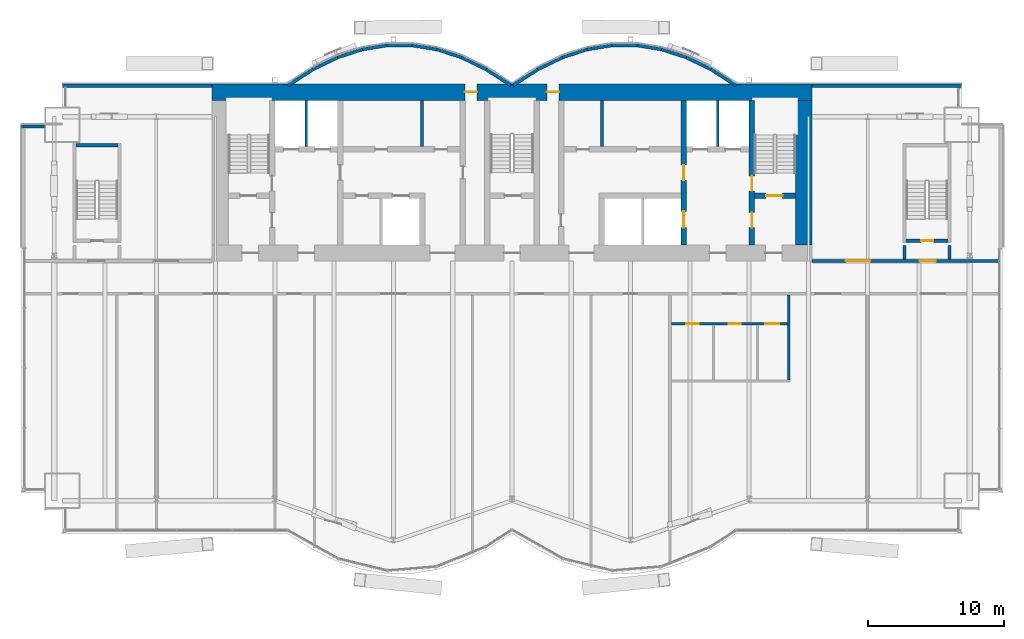
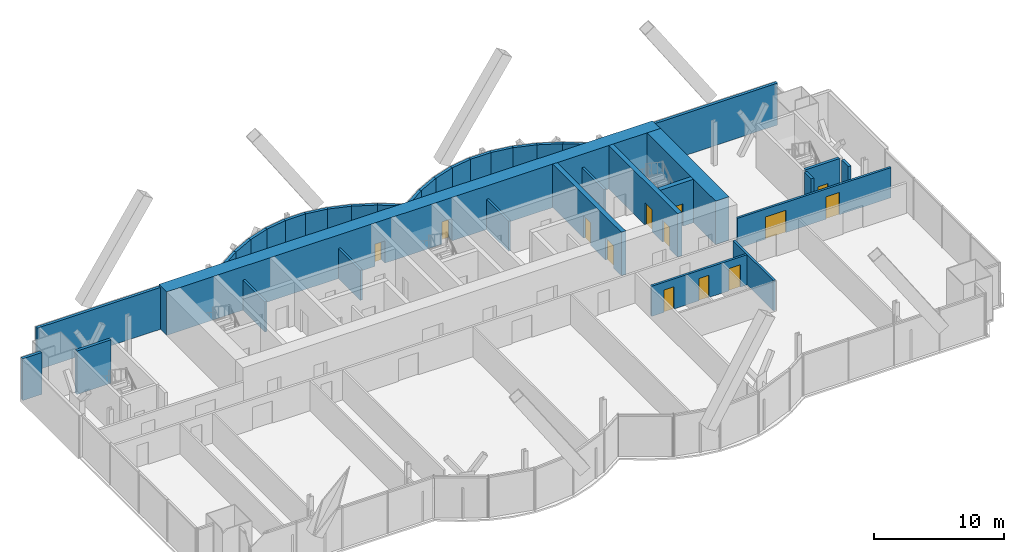
# One storey, part 17 of 21: 37 walls, 13 doors, 13 openings.
"""IFC4 building model written with IfcOpenShell, lengths in metres."""

import ifcopenshell
import ifcopenshell.guid

model = None  # the IFC model being written
_history = None  # IfcOwnerHistory: only IFC2X3 demands one
_inside = {}  # id of a spatial element -> (the spatial element, [elements in it])
_under = {}  # id of a project, library or spatial element -> (it, [spatial elements below it])
_declared = {}  # id of a project -> (the project, [libraries it declares])
_typed = {}  # id of a type object -> (the type object, [elements of that type])
_made_of = {}  # id of a material, layer set ... -> (it, [elements and type objects made of it])


def new_model(schema):
    """Start an empty IFC model of exactly this schema.

    Asked for "IFC4X3", IfcOpenShell would pick the latest addendum, in which some entities
    have other attributes; the version numbers below select the first issue.
    IFC2X3 requires an IfcOwnerHistory on every rooted entity: one is made here for all.
    """
    global model, _history
    if schema == "IFC4X3":
        model = ifcopenshell.file(schema_version=(4, 3, 0, 0))
    else:
        model = ifcopenshell.file(schema=schema)
    _inside.clear()
    _under.clear()
    _declared.clear()
    _typed.clear()
    _made_of.clear()
    _history = None
    if model.schema == "IFC2X3":
        org = make("IfcOrganization", Name="unknown")
        user = make(
            "IfcPersonAndOrganization",
            ThePerson=make("IfcPerson", FamilyName="unknown"),
            TheOrganization=org,
        )
        app = make(
            "IfcApplication",
            ApplicationDeveloper=org,
            Version="unknown",
            ApplicationFullName="unknown",
            ApplicationIdentifier="unknown",
        )
        _history = make(
            "IfcOwnerHistory",
            OwningUser=user,
            OwningApplication=app,
            ChangeAction="ADDED",
            CreationDate=0,
        )
    return model


def make(cls, **values):
    """One entity of the class cls with the attributes given. An attribute that is None is left unset."""
    return model.create_entity(
        cls, **{name: value for name, value in values.items() if value is not None}
    )


def rooted(cls, **values):
    """An entity with a GlobalId (a new one), such as an element, a storey or a relation."""
    return make(cls, GlobalId=ifcopenshell.guid.new(), OwnerHistory=_history, **values)


def si_unit(unit_type, name, prefix=None):
    """IfcSIUnit, for example si_unit("LENGTHUNIT", "METRE", prefix="MILLI")."""
    return make("IfcSIUnit", UnitType=unit_type, Prefix=prefix, Name=name)


def assignment(units):
    """IfcUnitAssignment: the units of a project."""
    return None if units is None else make("IfcUnitAssignment", Units=units)


def point(xyz):
    """IfcCartesianPoint."""
    return None if xyz is None else make("IfcCartesianPoint", Coordinates=xyz)


def direction(xyz):
    """IfcDirection."""
    return None if xyz is None else make("IfcDirection", DirectionRatios=xyz)


def frame(location, z_axis=None, x_axis=None):
    """IfcAxis2Placement3D, a coordinate frame: its origin and axes. An axis left out is left unset."""
    return make(
        "IfcAxis2Placement3D",
        Location=point(location),
        Axis=direction(z_axis),
        RefDirection=direction(x_axis),
    )


def frame_2d(location, x_axis=None):
    """IfcAxis2Placement2D, a coordinate frame in the plane: its origin and x axis."""
    return make(
        "IfcAxis2Placement2D", Location=point(location), RefDirection=direction(x_axis)
    )


def origin():
    """The frame at (0, 0, 0) with its axes left unset."""
    return frame((0.0, 0.0, 0.0))


def place(relative_to, where):
    """IfcLocalPlacement: puts the frame where relative to a parent placement (None: the world)."""
    return make(
        "IfcLocalPlacement", PlacementRelTo=relative_to, RelativePlacement=where
    )


def context(
    kind, dimensions, precision=None, world=None, true_north=None, identifier=None
):
    """IfcGeometricRepresentationContext, for example the 3D "Model" context."""
    return make(
        "IfcGeometricRepresentationContext",
        ContextIdentifier=identifier,
        ContextType=kind,
        CoordinateSpaceDimension=dimensions,
        Precision=precision,
        WorldCoordinateSystem=world,
        TrueNorth=true_north,
    )


def subcontext(parent, identifier, kind, view, scale=None):
    """IfcGeometricRepresentationSubContext, for example "Body" below "Model"."""
    return make(
        "IfcGeometricRepresentationSubContext",
        ContextIdentifier=identifier,
        ContextType=kind,
        ParentContext=parent,
        TargetScale=scale,
        TargetView=view,
    )


def project(units=None, contexts=None):
    """IfcProject with its units and contexts."""
    return rooted(
        "IfcProject",
        Name="project",
        RepresentationContexts=contexts,
        UnitsInContext=assignment(units),
    )


def spatial(cls, under=None, at=None, **own):
    """A site, building, storey or space (cls), placed at a placement, below another one or the project."""
    s = rooted(cls, ObjectPlacement=at, **own)
    if under is not None:
        _under.setdefault(under.id(), (under, []))[1].append(s)
    return s


def profile(cls, at=None, kind="AREA", **sizes):
    """A parametric profile (cls). Its sizes go by their IFC names, for example OverallWidth=200.0."""
    return make(cls, ProfileType=kind, Position=at, **sizes)


def rectangle(**sizes):
    """IfcRectangleProfileDef."""
    return profile("IfcRectangleProfileDef", **sizes)


def extrude(swept, where, along, depth):
    """IfcExtrudedAreaSolid: the profile swept, set in the frame where, extruded along a direction by depth."""
    return make(
        "IfcExtrudedAreaSolid",
        SweptArea=swept,
        Position=where,
        ExtrudedDirection=direction(along),
        Depth=depth,
    )


def shape(context_of_items, identifier, shape_type, items):
    """IfcShapeRepresentation: the items that make up one representation, for example the "Body"."""
    return make(
        "IfcShapeRepresentation",
        ContextOfItems=context_of_items,
        RepresentationIdentifier=identifier,
        RepresentationType=shape_type,
        Items=items,
    )


def material(Name=None, Category=None):
    """IfcMaterial."""
    return make("IfcMaterial", Name=Name, Category=Category)


def layer(
    of_material, thickness, ventilated=None, Name=None, Category=None, Priority=None
):
    """IfcMaterialLayer: one layer of a wall or slab, of a material (None: an air gap)."""
    return make(
        "IfcMaterialLayer",
        Material=of_material,
        LayerThickness=thickness,
        IsVentilated=ventilated,
        Name=Name,
        Category=Category,
        Priority=Priority,
    )


def layer_set(layers, Name=None):
    """IfcMaterialLayerSet."""
    return make("IfcMaterialLayerSet", MaterialLayers=layers, LayerSetName=Name)


def layer_usage(for_layer_set, set_direction, sense, offset, extent=None):
    """IfcMaterialLayerSetUsage: how a layer set lies in its element."""
    return make(
        "IfcMaterialLayerSetUsage",
        ForLayerSet=for_layer_set,
        LayerSetDirection=set_direction,
        DirectionSense=sense,
        OffsetFromReferenceLine=offset,
        ReferenceExtent=extent,
    )


def made_of(thing, what):
    """Note that an element or type object is made of a material, layer set ...; save() writes the relation."""
    if what is not None:
        _made_of.setdefault(what.id(), (what, []))[1].append(thing)
    return thing


def type_object(cls, material=None, **own):
    """A type object (cls), such as IfcWallType, which elements share."""
    return made_of(rooted(cls, **own), material)


def element(
    cls,
    number,
    at=None,
    inside=None,
    cuts=None,
    type_object=None,
    material=None,
    context=None,
    identifier="Body",
    shape_type=None,
    held_by="IfcProductDefinitionShape",
    body=None,
    shapes=None,
    **own,
):
    """One element of the class cls, such as IfcWall. Its Tag is "e" and its number.

    at: its placement. inside: the storey or other place that contains it. cuts: it is an
    opening in that element (IfcRelVoidsElement). A single representation is given by context,
    identifier, shape_type and body (its items); several are given by shapes. held_by: the class
    of the entity that holds the representations. save() writes the other relations.
    """
    e = rooted(cls, Tag="e%d" % number, ObjectPlacement=at, **own)
    if body is not None:
        shapes = [shape(context, identifier, shape_type, body)]
    if shapes is not None:
        e.Representation = make(held_by, Representations=shapes)
    if inside is not None:
        _inside.setdefault(inside.id(), (inside, []))[1].append(e)
    if cuts is not None:
        rooted(
            "IfcRelVoidsElement", RelatingBuildingElement=cuts, RelatedOpeningElement=e
        )
    if type_object is not None:
        _typed.setdefault(type_object.id(), (type_object, []))[1].append(e)
    return made_of(e, material)


def fill(opening, filler):
    """IfcRelFillsElement: the door or window that sits in an opening."""
    return rooted(
        "IfcRelFillsElement",
        RelatingOpeningElement=opening,
        RelatedBuildingElement=filler,
    )


def aggregate(whole, parts):
    """IfcRelAggregates: a whole, such as a stair, and the parts it consists of."""
    return rooted("IfcRelAggregates", RelatingObject=whole, RelatedObjects=parts)


def save(model, path):
    """Write the relations noted so far, then the file.

    IfcRelAggregates (storeys below a building ...), IfcRelContainedInSpatialStructure (elements
    in a storey), IfcRelDefinesByType, IfcRelAssociatesMaterial and IfcRelDeclares: one each for
    every whole, place, type object, material and project.
    """
    for whole, parts in _under.values():
        aggregate(whole, parts)
    for where, things in _inside.values():
        rooted(
            "IfcRelContainedInSpatialStructure",
            RelatedElements=things,
            RelatingStructure=where,
        )
    for kind, things in _typed.values():
        rooted("IfcRelDefinesByType", RelatedObjects=things, RelatingType=kind)
    for what, things in _made_of.values():
        rooted("IfcRelAssociatesMaterial", RelatedObjects=things, RelatingMaterial=what)
    for by, libraries in _declared.values():
        rooted("IfcRelDeclares", RelatingContext=by, RelatedDefinitions=libraries)
    model.write(path)


model = new_model("IFC4")

# Units and contexts
model_context = context("Model", 3, precision=1e-05, world=origin(), true_north=direction((0.0, 1.0)))
body_context = subcontext(model_context, "Body", "Model", "MODEL_VIEW")
ifc_project = project(units=[si_unit("LENGTHUNIT", "METRE"), si_unit("AREAUNIT", "SQUARE_METRE"), si_unit("VOLUMEUNIT", "CUBIC_METRE"), si_unit("PLANEANGLEUNIT", "RADIAN"), si_unit("MASSUNIT", "GRAM", prefix="KILO")], contexts=[model_context])

# Site, building, storey
site_placement = place(None, origin())
site = spatial("IfcSite", under=ifc_project, at=site_placement, CompositionType="ELEMENT")
building_placement = place(site_placement, origin())
building = spatial("IfcBuilding", under=site, at=building_placement, Name="Bicima Exchange Tower", CompositionType="ELEMENT")
storey_placement = place(building_placement, frame((0.0, 0.0, 195.0)))
storey = spatial("IfcBuildingStorey", under=building, at=storey_placement, Name="L43", CompositionType="ELEMENT", Elevation=195.0)

# Walls
ifc_material_1 = material(Name="Gypsum board partition")
ifc_layer_1 = layer(ifc_material_1, 0.199951171875)
ifc_layer_set_1 = layer_set([ifc_layer_1], Name="Gypsum board partition")
wall_type_1 = type_object("IfcWallType", Name="Fire-rated gypsum partition 200 EI120", PredefinedType="PARTITIONING", material=ifc_layer_set_1)
for number, where, z_axis, x_axis, name in (
    (1, (-15.10009765625, -4.60009765625, 0.0), (0.0, 0.0, 1.0), (0.0, 1.0, 0.0), "partition wall 9"),
    (2, (15.10009765625, -4.60009765625, 0.0), (0.0, 0.0, 1.0), (0.0, 1.0, 0.0), "partition wall 22"),
):
    element("IfcWall", number, at=place(storey_placement, frame(where, z_axis=z_axis, x_axis=x_axis)), inside=storey, type_object=wall_type_1, Name=name, PredefinedType="PARTITIONING", context=body_context, shape_type="SweptSolid", body=[
        extrude(rectangle(XDim=3.400146484375, YDim=0.199951171875, at=frame_2d((1.7001953125, 0.0))), origin(), (0.0, 0.0, 1.0), 2.84033203125),
    ])

# Wall, openings, doors
ifc_layer_2 = layer(ifc_material_1, 0.199951171875)
ifc_layer_set_2 = layer_set([ifc_layer_2], Name="Gypsum board partition")
wall_type_2 = type_object("IfcWallType", Name="Fire-rated gypsum partition 200 EI60", PredefinedType="PARTITIONING", material=ifc_layer_set_2)
wall_1_placement = place(storey_placement, frame((11.699951171875, -17.60009765625, 0.0), z_axis=(0.0, 0.0, 1.0), x_axis=(1.0, 0.0, 0.0)))
wall_1 = element("IfcWall", 3, at=wall_1_placement, inside=storey, type_object=wall_type_2, Name="partition wall 2", PredefinedType="PARTITIONING", context=body_context, shape_type="SweptSolid", body=[
    extrude(rectangle(XDim=8.5, YDim=0.199951171875, at=frame_2d((4.25, 0.0))), origin(), (0.0, 0.0, 1.0), 2.84033203125),
])
opening_1_placement = place(wall_1_placement, frame((1.10009765625, 0.0, 0.0)))
opening_1 = element("IfcOpeningElement", 4, at=opening_1_placement, cuts=wall_1, Name="Opening L43-015", PredefinedType="OPENING", context=body_context, shape_type="SweptSolid", body=[
    extrude(rectangle(XDim=0.89990234375, YDim=2.10009765625, at=frame_2d((0.449951171875, 1.050048828125))), frame((0.0, 0.11181640625, 0.0), z_axis=(0.0, -1.0, 0.0), x_axis=(1.0, 0.0, 0.0)), (0.0, 0.0, 1.0), 0.223876953125),
])
opening_2_placement = place(wall_1_placement, frame((4.199951171875, 0.0, 0.0)))
opening_2 = element("IfcOpeningElement", 5, at=opening_2_placement, cuts=wall_1, Name="Opening L43-016", PredefinedType="OPENING", context=body_context, shape_type="SweptSolid", body=[
    extrude(rectangle(XDim=0.89990234375, YDim=2.10009765625, at=frame_2d((0.449951171875, 1.050048828125))), frame((0.0, 0.11181640625, 0.0), z_axis=(0.0, -1.0, 0.0), x_axis=(1.0, 0.0, 0.0)), (0.0, 0.0, 1.0), 0.223876953125),
])
opening_3_placement = place(wall_1_placement, frame((6.89990234375, 0.0, 0.0)))
opening_3 = element("IfcOpeningElement", 6, at=opening_3_placement, cuts=wall_1, Name="Opening L43-017", PredefinedType="OPENING", context=body_context, shape_type="SweptSolid", body=[
    extrude(rectangle(XDim=1.0, YDim=2.10009765625, at=frame_2d((0.5, 1.050048828125))), frame((0.0, 0.11181640625, 0.0), z_axis=(0.0, -1.0, 0.0), x_axis=(1.0, 0.0, 0.0)), (0.0, 0.0, 1.0), 0.223876953125),
])
ifc_material_2 = material(Name="Steel fire door leaf", Category="steel")
door_type_1 = type_object("IfcDoorType", Name="Door 1000 swing FD30S", OperationType="SINGLE_SWING_LEFT", PredefinedType="DOOR", material=ifc_material_2)
door_1_placement = place(opening_3_placement, frame((1.0, 0.0, 0.0), z_axis=(0.0, 0.0, 1.0), x_axis=(-1.0, 0.0, 0.0)))
door_1 = element("IfcDoor", 7, at=door_1_placement, inside=storey, type_object=door_type_1, Name="Door", OperationType="SINGLE_SWING_RIGHT", OverallHeight=2.10009765625, OverallWidth=1.0, PredefinedType="DOOR", context=body_context, shape_type="SweptSolid", body=[
    extrude(rectangle(XDim=1.0, YDim=2.10009765625, at=frame_2d((0.5, 1.050048828125))), frame((0.0, 0.02490234375, 0.0), z_axis=(0.0, -1.0, 0.0), x_axis=(1.0, 0.0, 0.0)), (0.0, 0.0, 1.0), 0.050048828125),
])
fill(opening_3, door_1)
door_type_2 = type_object("IfcDoorType", Name="Door 900 swing FD30S", OperationType="SINGLE_SWING_LEFT", PredefinedType="DOOR", material=ifc_material_2)
door_2_placement = place(opening_1_placement, frame((0.89990234375, 0.0, 0.0), z_axis=(0.0, 0.0, 1.0), x_axis=(-1.0, 0.0, 0.0)))
door_2 = element("IfcDoor", 8, at=door_2_placement, inside=storey, type_object=door_type_2, Name="Door", OperationType="SINGLE_SWING_RIGHT", OverallHeight=2.10009765625, OverallWidth=0.89990234375, PredefinedType="DOOR", context=body_context, shape_type="SweptSolid", body=[
    extrude(rectangle(XDim=0.89990234375, YDim=2.10009765625, at=frame_2d((0.449951171875, 1.050048828125))), frame((0.0, 0.02490234375, 0.0), z_axis=(0.0, -1.0, 0.0), x_axis=(1.0, 0.0, 0.0)), (0.0, 0.0, 1.0), 0.050048828125),
])
fill(opening_1, door_2)
door_3_placement = place(opening_2_placement, frame((0.89990234375, 0.0, 0.0), z_axis=(0.0, 0.0, 1.0), x_axis=(-1.0, 0.0, 0.0)))
door_3 = element("IfcDoor", 9, at=door_3_placement, inside=storey, type_object=door_type_2, Name="Door", OperationType="SINGLE_SWING_LEFT", OverallHeight=2.10009765625, OverallWidth=0.89990234375, PredefinedType="DOOR", context=body_context, shape_type="SweptSolid", body=[
    extrude(rectangle(XDim=0.89990234375, YDim=2.10009765625, at=frame_2d((0.449951171875, 1.050048828125))), frame((0.0, 0.02490234375, 0.0), z_axis=(0.0, -1.0, 0.0), x_axis=(1.0, 0.0, 0.0)), (0.0, 0.0, 1.0), 0.050048828125),
])
fill(opening_2, door_3)

wall_2_placement = place(storey_placement, frame((22.0, -13.0, 0.0), z_axis=(0.0, 0.0, 1.0), x_axis=(1.0, 0.0, 0.0)))
wall_2 = element("IfcWall", 10, at=wall_2_placement, inside=storey, type_object=wall_type_2, Name="partition wall 5", PredefinedType="PARTITIONING", context=body_context, shape_type="SweptSolid", body=[
    extrude(rectangle(XDim=13.679931640625, YDim=0.199951171875, at=frame_2d((6.83984375, 0.0))), origin(), (0.0, 0.0, 1.0), 2.84033203125),
])
opening_4_placement = place(wall_2_placement, frame((7.89990234375, 0.0, 0.0)))
opening_4 = element("IfcOpeningElement", 11, at=opening_4_placement, cuts=wall_2, Name="Opening L43-003", PredefinedType="OPENING", context=body_context, shape_type="SweptSolid", body=[
    extrude(rectangle(XDim=1.199951171875, YDim=2.10009765625, at=frame_2d((0.60009765625, 1.050048828125))), frame((0.0, 0.11181640625, 0.0), z_axis=(0.0, -1.0, 0.0), x_axis=(1.0, 0.0, 0.0)), (0.0, 0.0, 1.0), 0.223876953125),
])
opening_5_placement = place(wall_2_placement, frame((2.5, 0.0, 0.0)))
opening_5 = element("IfcOpeningElement", 12, at=opening_5_placement, cuts=wall_2, Name="Opening L43-006", PredefinedType="OPENING", context=body_context, shape_type="SweptSolid", body=[
    extrude(rectangle(XDim=1.800048828125, YDim=2.10009765625, at=frame_2d((0.89990234375, 1.050048828125))), frame((0.0, 0.11181640625, 0.0), z_axis=(0.0, -1.0, 0.0), x_axis=(1.0, 0.0, 0.0)), (0.0, 0.0, 1.0), 0.223876953125),
])
door_type_3 = type_object("IfcDoorType", Name="Door 1200 swing FD30S", OperationType="SINGLE_SWING_LEFT", PredefinedType="DOOR", material=ifc_material_2)
door_4_placement = place(opening_4_placement, origin())
door_4 = element("IfcDoor", 13, at=door_4_placement, inside=storey, type_object=door_type_3, Name="Door", OperationType="SINGLE_SWING_RIGHT", OverallHeight=2.10009765625, OverallWidth=1.199951171875, PredefinedType="DOOR", context=body_context, shape_type="SweptSolid", body=[
    extrude(rectangle(XDim=1.199951171875, YDim=2.10009765625, at=frame_2d((0.60009765625, 1.050048828125))), frame((0.0, 0.02490234375, 0.0), z_axis=(0.0, -1.0, 0.0), x_axis=(1.0, 0.0, 0.0)), (0.0, 0.0, 1.0), 0.050048828125),
])
fill(opening_4, door_4)
door_type_4 = type_object("IfcDoorType", Name="Door 1800 double swing FD30S", OperationType="DOUBLE_DOOR_SINGLE_SWING", PredefinedType="DOOR", material=ifc_material_2)
door_5_placement = place(opening_5_placement, origin())
door_5 = element("IfcDoor", 14, at=door_5_placement, inside=storey, type_object=door_type_4, Name="Door", OperationType="SINGLE_SWING_LEFT", OverallHeight=2.10009765625, OverallWidth=1.800048828125, PredefinedType="DOOR", context=body_context, shape_type="SweptSolid", body=[
    extrude(rectangle(XDim=1.800048828125, YDim=2.10009765625, at=frame_2d((0.89990234375, 1.050048828125))), frame((0.0, 0.02490234375, 0.0), z_axis=(0.0, -1.0, 0.0), x_axis=(1.0, 0.0, 0.0)), (0.0, 0.0, 1.0), 0.050048828125),
])
fill(opening_5, door_5)

# Walls
wall_3_placement = place(storey_placement, frame((20.300048828125, -21.72509765625, 0.0), z_axis=(0.0, 0.0, 1.0), x_axis=(0.0, 1.0, 0.0)))
element("IfcWall", 15, at=wall_3_placement, inside=storey, type_object=wall_type_2, Name="partition wall 23", PredefinedType="PARTITIONING", context=body_context, shape_type="SweptSolid", body=[
    extrude(rectangle(XDim=6.22509765625, YDim=0.199951171875, at=frame_2d((3.112548828125, 0.0))), origin(), (0.0, 0.0, 1.0), 2.84033203125),
])
for number, where, z_axis, x_axis, name in (
    (16, (-6.60009765625, -4.60009765625, 0.0), (0.0, 0.0, 1.0), (0.0, 1.0, 0.0), "partition wall 13"),
    (17, (6.60009765625, -4.60009765625, 0.0), (0.0, 0.0, 1.0), (0.0, 1.0, 0.0), "partition wall 19"),
):
    element("IfcWall", number, at=place(storey_placement, frame(where, z_axis=z_axis, x_axis=x_axis)), inside=storey, type_object=wall_type_2, Name=name, PredefinedType="PARTITIONING", context=body_context, shape_type="SweptSolid", body=[
        extrude(rectangle(XDim=3.400146484375, YDim=0.199951171875, at=frame_2d((1.7001953125, 0.0))), origin(), (0.0, 0.0, 1.0), 2.84033203125),
    ])

# Wall, openings, doors
ifc_material_3 = material(Name="Concrete C50/60", Category="concrete")
ifc_layer_3 = layer(ifc_material_3, 1.199951171875)
ifc_layer_set_3 = layer_set([ifc_layer_3], Name="Concrete C50/60")
wall_type_3 = type_object("IfcWallType", Name="RC core wall 1200 C50/60", PredefinedType="SHEAR", material=ifc_layer_set_3)
wall_4_placement = place(storey_placement, frame((-22.0, -0.60009765625, 0.0), z_axis=(0.0, 0.0, 1.0), x_axis=(1.0, 0.0, 0.0)))
wall_4 = element("IfcWall", 18, at=wall_4_placement, inside=storey, type_object=wall_type_3, Name="Core wall north", PredefinedType="SHEAR", context=body_context, shape_type="SweptSolid", body=[
    extrude(rectangle(XDim=44.0, YDim=1.199951171875, at=frame_2d((22.0, 0.0))), origin(), (0.0, 0.0, 1.0), 4.10009765625),
])
opening_6_placement = place(wall_4_placement, frame((18.550048828125, 0.0, 0.0)))
opening_6 = element("IfcOpeningElement", 19, at=opening_6_placement, cuts=wall_4, Name="Opening L43-C17", PredefinedType="OPENING", context=body_context, shape_type="SweptSolid", body=[
    extrude(rectangle(XDim=0.89990234375, YDim=2.10009765625, at=frame_2d((0.449951171875, 1.050048828125))), frame((0.0, 0.61181640625, 0.0), z_axis=(0.0, -1.0, 0.0), x_axis=(1.0, 0.0, 0.0)), (0.0, 0.0, 1.0), 1.223876953125),
])
opening_7_placement = place(wall_4_placement, frame((24.550048828125, 0.0, 0.0)))
opening_7 = element("IfcOpeningElement", 20, at=opening_7_placement, cuts=wall_4, Name="Opening L43-C18", PredefinedType="OPENING", context=body_context, shape_type="SweptSolid", body=[
    extrude(rectangle(XDim=0.89990234375, YDim=2.10009765625, at=frame_2d((0.449951171875, 1.050048828125))), frame((0.0, 0.61181640625, 0.0), z_axis=(0.0, -1.0, 0.0), x_axis=(1.0, 0.0, 0.0)), (0.0, 0.0, 1.0), 1.223876953125),
])
door_6_placement = place(opening_6_placement, origin())
door_6 = element("IfcDoor", 21, at=door_6_placement, inside=storey, type_object=door_type_2, Name="Core door", OperationType="SINGLE_SWING_LEFT", OverallHeight=2.10009765625, OverallWidth=0.89990234375, PredefinedType="DOOR", context=body_context, shape_type="SweptSolid", body=[
    extrude(rectangle(XDim=0.89990234375, YDim=2.10009765625, at=frame_2d((0.449951171875, 1.050048828125))), frame((0.0, 0.02490234375, 0.0), z_axis=(0.0, -1.0, 0.0), x_axis=(1.0, 0.0, 0.0)), (0.0, 0.0, 1.0), 0.050048828125),
])
fill(opening_6, door_6)
door_7_placement = place(opening_7_placement, origin())
door_7 = element("IfcDoor", 22, at=door_7_placement, inside=storey, type_object=door_type_2, Name="Core door", OperationType="SINGLE_SWING_LEFT", OverallHeight=2.10009765625, OverallWidth=0.89990234375, PredefinedType="DOOR", context=body_context, shape_type="SweptSolid", body=[
    extrude(rectangle(XDim=0.89990234375, YDim=2.10009765625, at=frame_2d((0.449951171875, 1.050048828125))), frame((0.0, 0.02490234375, 0.0), z_axis=(0.0, -1.0, 0.0), x_axis=(1.0, 0.0, 0.0)), (0.0, 0.0, 1.0), 0.050048828125),
])
fill(opening_7, door_7)

# Walls
wall_5_placement = place(storey_placement, frame((21.39990234375, -11.800048828125, 0.0), z_axis=(0.0, 0.0, 1.0), x_axis=(0.0, 1.0, 0.0)))
element("IfcWall", 23, at=wall_5_placement, inside=storey, type_object=wall_type_3, Name="Core wall east", PredefinedType="SHEAR", context=body_context, shape_type="SweptSolid", body=[
    extrude(rectangle(XDim=10.60009765625, YDim=1.199951171875, at=frame_2d((5.300048828125, 0.0))), origin(), (0.0, 0.0, 1.0), 4.10009765625),
])
ifc_layer_4 = layer(ifc_material_3, 0.25)
ifc_layer_set_4 = layer_set([ifc_layer_4], Name="Concrete C50/60")
wall_type_4 = type_object("IfcWallType", Name="RC core wall 250 C50/60", PredefinedType="SHEAR", material=ifc_layer_set_4)
for number, where, z_axis, x_axis, name in (
    (24, (28.800048828125, -12.89990234375, 0.0), (0.0, 0.0, 1.0), (0.0, 1.0, 0.0), "stair wall 25"),
    (25, (32.10009765625, -12.89990234375, 0.0), (0.0, 0.0, 1.0), (0.0, 1.0, 0.0), "stair wall 26"),
):
    element("IfcWall", number, at=place(storey_placement, frame(where, z_axis=z_axis, x_axis=x_axis)), inside=storey, type_object=wall_type_4, Name=name, PredefinedType="SHEAR", context=body_context, shape_type="SweptSolid", body=[
        extrude(rectangle(XDim=1.0498046875, YDim=0.25, at=frame_2d((0.52490234375, 0.0))), origin(), (0.0, 0.0, 1.0), 4.10009765625),
    ])

# Wall, opening, door
ifc_layer_5 = layer(ifc_material_3, 0.39990234375)
ifc_layer_set_5 = layer_set([ifc_layer_5], Name="Concrete C50/60")
wall_type_5 = type_object("IfcWallType", Name="RC core wall 400 C50/60", PredefinedType="SHEAR", material=ifc_layer_set_5)
wall_6_placement = place(storey_placement, frame((17.800048828125, -8.199951171875, 0.0), z_axis=(0.0, 0.0, 1.0), x_axis=(1.0, 0.0, 0.0)))
wall_6 = element("IfcWall", 26, at=wall_6_placement, inside=storey, type_object=wall_type_5, Name="stair wall 5", PredefinedType="SHEAR", context=body_context, shape_type="SweptSolid", body=[
    extrude(rectangle(XDim=3.0, YDim=0.39990234375, at=frame_2d((1.5, 0.0))), origin(), (0.0, 0.0, 1.0), 4.10009765625),
])
opening_8_placement = place(wall_6_placement, frame((0.85009765625, 0.0, 0.0)))
opening_8 = element("IfcOpeningElement", 27, at=opening_8_placement, cuts=wall_6, Name="Opening L43-C04", PredefinedType="OPENING", context=body_context, shape_type="SweptSolid", body=[
    extrude(rectangle(XDim=1.199951171875, YDim=2.10009765625, at=frame_2d((0.60009765625, 1.050048828125))), frame((0.0, 0.2119140625, 0.0), z_axis=(0.0, -1.0, 0.0), x_axis=(1.0, 0.0, 0.0)), (0.0, 0.0, 1.0), 0.423828125),
])
door_type_5 = type_object("IfcDoorType", Name="Door 1200 swing FD60S", OperationType="SINGLE_SWING_LEFT", PredefinedType="DOOR", material=ifc_material_2)
door_8_placement = place(opening_8_placement, origin())
door_8 = element("IfcDoor", 28, at=door_8_placement, inside=storey, type_object=door_type_5, Name="Core door", OperationType="SINGLE_SWING_RIGHT", OverallHeight=2.10009765625, OverallWidth=1.199951171875, PredefinedType="DOOR", context=body_context, shape_type="SweptSolid", body=[
    extrude(rectangle(XDim=1.199951171875, YDim=2.10009765625, at=frame_2d((0.60009765625, 1.050048828125))), frame((0.0, 0.02490234375, 0.0), z_axis=(0.0, -1.0, 0.0), x_axis=(1.0, 0.0, 0.0)), (0.0, 0.0, 1.0), 0.050048828125),
])
fill(opening_8, door_8)

# Wall, openings, doors
wall_7_placement = place(storey_placement, frame((12.60009765625, -11.800048828125, 0.0), z_axis=(0.0, 0.0, 1.0), x_axis=(0.0, 1.0, 0.0)))
wall_7 = element("IfcWall", 29, at=wall_7_placement, inside=storey, type_object=wall_type_5, Name="shear wall 21", PredefinedType="SHEAR", context=body_context, shape_type="SweptSolid", body=[
    extrude(rectangle(XDim=10.60009765625, YDim=0.39990234375, at=frame_2d((5.300048828125, 0.0))), origin(), (0.0, 0.0, 1.0), 4.10009765625),
])
opening_9_placement = place(wall_7_placement, frame((1.25, 0.0, 0.0)))
opening_9 = element("IfcOpeningElement", 30, at=opening_9_placement, cuts=wall_7, Name="Opening LD-MB2-L43", PredefinedType="OPENING", context=body_context, shape_type="SweptSolid", body=[
    extrude(rectangle(XDim=1.199951171875, YDim=2.10009765625, at=frame_2d((0.60009765625, 1.050048828125))), frame((0.0, 0.2119140625, 0.0), z_axis=(0.0, -1.0, 0.0), x_axis=(1.0, 0.0, 0.0)), (0.0, 0.0, 1.0), 0.423828125),
])
opening_10_placement = place(wall_7_placement, frame((4.75, 0.0, 0.0)))
opening_10 = element("IfcOpeningElement", 31, at=opening_10_placement, cuts=wall_7, Name="Opening L43-C09", PredefinedType="OPENING", context=body_context, shape_type="SweptSolid", body=[
    extrude(rectangle(XDim=1.10009765625, YDim=2.10009765625, at=frame_2d((0.550048828125, 1.050048828125))), frame((0.0, 0.2119140625, 0.0), z_axis=(0.0, -1.0, 0.0), x_axis=(1.0, 0.0, 0.0)), (0.0, 0.0, 1.0), 0.423828125),
])
door_type_6 = type_object("IfcDoorType", Name="Door 1100 swing FD60S", OperationType="SINGLE_SWING_LEFT", PredefinedType="DOOR", material=ifc_material_2)
door_9_placement = place(opening_10_placement, frame((1.10009765625, 0.0, 0.0), z_axis=(0.0, 0.0, 1.0), x_axis=(-1.0, 0.0, 0.0)))
door_9 = element("IfcDoor", 32, at=door_9_placement, inside=storey, type_object=door_type_6, Name="Core door", OperationType="SINGLE_SWING_RIGHT", OverallHeight=2.10009765625, OverallWidth=1.10009765625, PredefinedType="DOOR", context=body_context, shape_type="SweptSolid", body=[
    extrude(rectangle(XDim=1.10009765625, YDim=2.10009765625, at=frame_2d((0.550048828125, 1.050048828125))), frame((0.0, 0.02490234375, 0.0), z_axis=(0.0, -1.0, 0.0), x_axis=(1.0, 0.0, 0.0)), (0.0, 0.0, 1.0), 0.050048828125),
])
fill(opening_10, door_9)
ifc_material_4 = material(Name="Stainless steel", Category="steel")
door_type_7 = type_object("IfcDoorType", Name="Lift landing door 1200 sliding", OperationType="DOUBLE_DOOR_SLIDING", PredefinedType="DOOR", material=ifc_material_4)
door_10_placement = place(opening_9_placement, origin())
door_10 = element("IfcDoor", 33, at=door_10_placement, inside=storey, type_object=door_type_7, Name="Lift landing door MB2", OperationType="DOUBLE_DOOR_SLIDING", OverallHeight=2.10009765625, OverallWidth=1.199951171875, PredefinedType="DOOR", context=body_context, shape_type="SweptSolid", body=[
    extrude(rectangle(XDim=1.199951171875, YDim=2.10009765625, at=frame_2d((0.60009765625, 1.050048828125))), frame((0.0, 0.02490234375, 0.0), z_axis=(0.0, -1.0, 0.0), x_axis=(1.0, 0.0, 0.0)), (0.0, 0.0, 1.0), 0.050048828125),
])
fill(opening_9, door_10)

wall_8_placement = place(storey_placement, frame((17.60009765625, -11.800048828125, 0.0), z_axis=(0.0, 0.0, 1.0), x_axis=(0.0, 1.0, 0.0)))
wall_8 = element("IfcWall", 34, at=wall_8_placement, inside=storey, type_object=wall_type_5, Name="stair wall 23", PredefinedType="SHEAR", context=body_context, shape_type="SweptSolid", body=[
    extrude(rectangle(XDim=10.60009765625, YDim=0.39990234375, at=frame_2d((5.300048828125, 0.0))), origin(), (0.0, 0.0, 1.0), 4.10009765625),
])
opening_11_placement = place(wall_8_placement, frame((1.25, 0.0, 0.0)))
opening_11 = element("IfcOpeningElement", 35, at=opening_11_placement, cuts=wall_8, Name="Opening L43-C05", PredefinedType="OPENING", context=body_context, shape_type="SweptSolid", body=[
    extrude(rectangle(XDim=1.10009765625, YDim=2.10009765625, at=frame_2d((0.550048828125, 1.050048828125))), frame((0.0, 0.2119140625, 0.0), z_axis=(0.0, -1.0, 0.0), x_axis=(1.0, 0.0, 0.0)), (0.0, 0.0, 1.0), 0.423828125),
])
opening_12_placement = place(wall_8_placement, frame((3.949951171875, 0.0, 0.0)))
opening_12 = element("IfcOpeningElement", 36, at=opening_12_placement, cuts=wall_8, Name="Opening L43-C08", PredefinedType="OPENING", context=body_context, shape_type="SweptSolid", body=[
    extrude(rectangle(XDim=1.10009765625, YDim=2.10009765625, at=frame_2d((0.550048828125, 1.050048828125))), frame((0.0, 0.2119140625, 0.0), z_axis=(0.0, -1.0, 0.0), x_axis=(1.0, 0.0, 0.0)), (0.0, 0.0, 1.0), 0.423828125),
])
door_11_placement = place(opening_11_placement, origin())
door_11 = element("IfcDoor", 37, at=door_11_placement, inside=storey, type_object=door_type_6, Name="Core door", OperationType="SINGLE_SWING_LEFT", OverallHeight=2.10009765625, OverallWidth=1.10009765625, PredefinedType="DOOR", context=body_context, shape_type="SweptSolid", body=[
    extrude(rectangle(XDim=1.10009765625, YDim=2.10009765625, at=frame_2d((0.550048828125, 1.050048828125))), frame((0.0, 0.02490234375, 0.0), z_axis=(0.0, -1.0, 0.0), x_axis=(1.0, 0.0, 0.0)), (0.0, 0.0, 1.0), 0.050048828125),
])
fill(opening_11, door_11)
door_12_placement = place(opening_12_placement, origin())
door_12 = element("IfcDoor", 38, at=door_12_placement, inside=storey, type_object=door_type_6, Name="Core door", OperationType="SINGLE_SWING_RIGHT", OverallHeight=2.10009765625, OverallWidth=1.10009765625, PredefinedType="DOOR", context=body_context, shape_type="SweptSolid", body=[
    extrude(rectangle(XDim=1.10009765625, YDim=2.10009765625, at=frame_2d((0.550048828125, 1.050048828125))), frame((0.0, 0.02490234375, 0.0), z_axis=(0.0, -1.0, 0.0), x_axis=(1.0, 0.0, 0.0)), (0.0, 0.0, 1.0), 0.050048828125),
])
fill(opening_12, door_12)

# Wall
ifc_layer_6 = layer(ifc_material_3, 0.25)
ifc_layer_set_6 = layer_set([ifc_layer_6], Name="Concrete C50/60")
wall_type_6 = type_object("IfcWallType", Name="RC stair enclosure wall 250 C50/60", PredefinedType="SHEAR", material=ifc_layer_set_6)
wall_9_placement = place(storey_placement, frame((-31.97509765625, -4.5, 0.0), z_axis=(0.0, 0.0, 1.0), x_axis=(1.0, 0.0, 0.0)))
element("IfcWall", 39, at=wall_9_placement, inside=storey, type_object=wall_type_6, Name="West end exit stair wall N", PredefinedType="SHEAR", context=body_context, shape_type="SweptSolid", body=[
    extrude(rectangle(XDim=3.050048828125, YDim=0.25, at=frame_2d((1.52490234375, 0.0))), origin(), (0.0, 0.0, 1.0), 4.10009765625),
])

# Wall, opening, door
wall_10_placement = place(storey_placement, frame((28.925048828125, -11.5, 0.0), z_axis=(0.0, 0.0, 1.0), x_axis=(1.0, 0.0, 0.0)))
wall_10 = element("IfcWall", 40, at=wall_10_placement, inside=storey, type_object=wall_type_6, Name="East end exit stair wall S", PredefinedType="SHEAR", context=body_context, shape_type="SweptSolid", body=[
    extrude(rectangle(XDim=3.050048828125, YDim=0.25, at=frame_2d((1.52490234375, 0.0))), origin(), (0.0, 0.0, 1.0), 4.10009765625),
])
opening_13_placement = place(wall_10_placement, frame((1.10009765625, 0.0, 0.0)))
opening_13 = element("IfcOpeningElement", 41, at=opening_13_placement, cuts=wall_10, Name="Opening L43-004", PredefinedType="OPENING", context=body_context, shape_type="SweptSolid", body=[
    extrude(rectangle(XDim=0.89990234375, YDim=2.10009765625, at=frame_2d((0.449951171875, 1.050048828125))), frame((0.0, 0.136962890625, 0.0), z_axis=(0.0, -1.0, 0.0), x_axis=(1.0, 0.0, 0.0)), (0.0, 0.0, 1.0), 0.27392578125),
])
door_type_8 = type_object("IfcDoorType", Name="Door 900 swing FD60S", OperationType="SINGLE_SWING_LEFT", PredefinedType="DOOR", material=ifc_material_2)
door_13_placement = place(opening_13_placement, origin())
door_13 = element("IfcDoor", 42, at=door_13_placement, inside=storey, type_object=door_type_8, Name="Door", OperationType="SINGLE_SWING_LEFT", OverallHeight=2.10009765625, OverallWidth=0.89990234375, PredefinedType="DOOR", context=body_context, shape_type="SweptSolid", body=[
    extrude(rectangle(XDim=0.89990234375, YDim=2.10009765625, at=frame_2d((0.449951171875, 1.050048828125))), frame((0.0, 0.02490234375, 0.0), z_axis=(0.0, -1.0, 0.0), x_axis=(1.0, 0.0, 0.0)), (0.0, 0.0, 1.0), 0.050048828125),
])
fill(opening_13, door_13)

# Walls
ifc_material_5 = material(Name="Concrete C40/50", Category="concrete")
ifc_layer_7 = layer(ifc_material_5, 0.25)
ifc_layer_set_7 = layer_set([ifc_layer_7], Name="Concrete C40/50")
ifc_layer_usage = layer_usage(ifc_layer_set_7, "AXIS2", "POSITIVE", -0.125)
wall_type_7 = type_object("IfcWallType", Name="Rear backup wall 250", PredefinedType="STANDARD", material=ifc_layer_set_7)
wall_11_placement = place(storey_placement, frame((33.0, -0.125, 0.0), z_axis=(0.0, 0.0, 1.0), x_axis=(-1.0, 0.0, 0.0)))
element("IfcWall", 43, at=wall_11_placement, inside=storey, type_object=wall_type_7, material=ifc_layer_usage, Name="Rear backup wall L43 1", PredefinedType="STANDARD", context=body_context, shape_type="SweptSolid", body=[
    extrude(rectangle(XDim=11.0, YDim=0.25, at=frame_2d((5.5, 0.0))), origin(), (0.0, 0.0, 1.0), 3.949951171875),
])
wall_12_placement = place(storey_placement, frame((16.43212890625, -0.10498046875, 0.0), z_axis=(0.0, 0.0, 1.0), x_axis=(-0.83981312244, 0.542875602121, 0.0)))
element("IfcWall", 44, at=wall_12_placement, inside=storey, type_object=wall_type_7, material=ifc_layer_usage, Name="Rear backup wall L43 2", PredefinedType="STANDARD", context=body_context, shape_type="SweptSolid", body=[
    extrude(rectangle(XDim=2.182861328125, YDim=0.25, at=frame_2d((1.09130859375, 0.0))), origin(), (0.0, 0.0, 1.0), 3.949951171875),
])
wall_13_placement = place(storey_placement, frame((14.6123046875, 1.07275390625, 0.0), z_axis=(0.0, 0.0, 1.0), x_axis=(-0.89982408427, 0.436252928206, 0.0)))
element("IfcWall", 45, at=wall_13_placement, inside=storey, type_object=wall_type_7, material=ifc_layer_usage, Name="Rear backup wall L43 3", PredefinedType="STANDARD", context=body_context, shape_type="SweptSolid", body=[
    extrude(rectangle(XDim=2.03759765625, YDim=0.25, at=frame_2d((1.018798828125, 0.0))), origin(), (0.0, 0.0, 1.0), 3.949951171875),
])
wall_14_placement = place(storey_placement, frame((12.794921875, 1.955078125, 0.0), z_axis=(0.0, 0.0, 1.0), x_axis=(-0.951495806175, 0.307661714928, 0.0)))
element("IfcWall", 46, at=wall_14_placement, inside=storey, type_object=wall_type_7, material=ifc_layer_usage, Name="Rear backup wall L43 4", PredefinedType="STANDARD", context=body_context, shape_type="SweptSolid", body=[
    extrude(rectangle(XDim=1.9267578125, YDim=0.25, at=frame_2d((0.96337890625, 0.0))), origin(), (0.0, 0.0, 1.0), 3.949951171875),
])
wall_15_placement = place(storey_placement, frame((10.97998046875, 2.543212890625, 0.0), z_axis=(0.0, 0.0, 1.0), x_axis=(-0.987181718931, 0.159600293885, 0.0)))
element("IfcWall", 47, at=wall_15_placement, inside=storey, type_object=wall_type_7, material=ifc_layer_usage, Name="Rear backup wall L43 5", PredefinedType="STANDARD", context=body_context, shape_type="SweptSolid", body=[
    extrude(rectangle(XDim=1.857177734375, YDim=0.25, at=frame_2d((0.9287109375, 0.0))), origin(), (0.0, 0.0, 1.0), 3.949951171875),
])
wall_16_placement = place(storey_placement, frame((9.166748046875, 2.837890625, 0.0), z_axis=(0.0, 0.0, 1.0), x_axis=(-1.0, 0.0, 0.0)))
element("IfcWall", 48, at=wall_16_placement, inside=storey, type_object=wall_type_7, material=ifc_layer_usage, Name="Rear backup wall L43 6", PredefinedType="STANDARD", context=body_context, shape_type="SweptSolid", body=[
    extrude(rectangle(XDim=1.83349609375, YDim=0.25, at=frame_2d((0.916748046875, 0.0))), origin(), (0.0, 0.0, 1.0), 3.949951171875),
])
wall_17_placement = place(storey_placement, frame((7.353271484375, 2.839599609375, 0.0), z_axis=(0.0, 0.0, 1.0), x_axis=(-0.987181718931, -0.159600293885, 0.0)))
element("IfcWall", 49, at=wall_17_placement, inside=storey, type_object=wall_type_7, material=ifc_layer_usage, Name="Rear backup wall L43 7", PredefinedType="STANDARD", context=body_context, shape_type="SweptSolid", body=[
    extrude(rectangle(XDim=1.857177734375, YDim=0.25, at=frame_2d((0.9287109375, 0.0))), origin(), (0.0, 0.0, 1.0), 3.949951171875),
])
wall_18_placement = place(storey_placement, frame((5.538330078125, 2.5478515625, 0.0), z_axis=(0.0, 0.0, 1.0), x_axis=(-0.951495806175, -0.307661714928, 0.0)))
element("IfcWall", 50, at=wall_18_placement, inside=storey, type_object=wall_type_7, material=ifc_layer_usage, Name="Rear backup wall L43 8", PredefinedType="STANDARD", context=body_context, shape_type="SweptSolid", body=[
    extrude(rectangle(XDim=1.9267578125, YDim=0.25, at=frame_2d((0.96337890625, 0.0))), origin(), (0.0, 0.0, 1.0), 3.949951171875),
])
wall_19_placement = place(storey_placement, frame((3.72119140625, 1.961669921875, 0.0), z_axis=(0.0, 0.0, 1.0), x_axis=(-0.89982408427, -0.436252928206, 0.0)))
element("IfcWall", 51, at=wall_19_placement, inside=storey, type_object=wall_type_7, material=ifc_layer_usage, Name="Rear backup wall L43 9", PredefinedType="STANDARD", context=body_context, shape_type="SweptSolid", body=[
    extrude(rectangle(XDim=2.03759765625, YDim=0.25, at=frame_2d((1.018798828125, 0.0))), origin(), (0.0, 0.0, 1.0), 3.949951171875),
])
for number, where, z_axis, x_axis, name in (
    (52, (1.901123046875, 1.080078125, 0.0), (0.0, 0.0, 1.0), (-0.83981312244, -0.542875602121, 0.0), "Rear backup wall L43 10"),
    (53, (-0.06787109375, -0.10498046875, 0.0), (0.0, 0.0, 1.0), (-0.83981312244, 0.542875602121, 0.0), "Rear backup wall L43 11"),
):
    element("IfcWall", number, at=place(storey_placement, frame(where, z_axis=z_axis, x_axis=x_axis)), inside=storey, type_object=wall_type_7, material=ifc_layer_usage, Name=name, PredefinedType="STANDARD", context=body_context, shape_type="SweptSolid", body=[
        extrude(rectangle(XDim=2.182861328125, YDim=0.25, at=frame_2d((1.09130859375, 0.0))), origin(), (0.0, 0.0, 1.0), 3.949951171875),
    ])
wall_20_placement = place(storey_placement, frame((-1.8876953125, 1.07275390625, 0.0), z_axis=(0.0, 0.0, 1.0), x_axis=(-0.89982408427, 0.436252928206, 0.0)))
element("IfcWall", 54, at=wall_20_placement, inside=storey, type_object=wall_type_7, material=ifc_layer_usage, Name="Rear backup wall L43 12", PredefinedType="STANDARD", context=body_context, shape_type="SweptSolid", body=[
    extrude(rectangle(XDim=2.03759765625, YDim=0.25, at=frame_2d((1.018798828125, 0.0))), origin(), (0.0, 0.0, 1.0), 3.949951171875),
])
wall_21_placement = place(storey_placement, frame((-3.705078125, 1.955078125, 0.0), z_axis=(0.0, 0.0, 1.0), x_axis=(-0.951495806175, 0.307661714928, 0.0)))
element("IfcWall", 55, at=wall_21_placement, inside=storey, type_object=wall_type_7, material=ifc_layer_usage, Name="Rear backup wall L43 13", PredefinedType="STANDARD", context=body_context, shape_type="SweptSolid", body=[
    extrude(rectangle(XDim=1.9267578125, YDim=0.25, at=frame_2d((0.96337890625, 0.0))), origin(), (0.0, 0.0, 1.0), 3.949951171875),
])
wall_22_placement = place(storey_placement, frame((-5.52001953125, 2.543212890625, 0.0), z_axis=(0.0, 0.0, 1.0), x_axis=(-0.987181718931, 0.159600293885, 0.0)))
element("IfcWall", 56, at=wall_22_placement, inside=storey, type_object=wall_type_7, material=ifc_layer_usage, Name="Rear backup wall L43 14", PredefinedType="STANDARD", context=body_context, shape_type="SweptSolid", body=[
    extrude(rectangle(XDim=1.857177734375, YDim=0.25, at=frame_2d((0.9287109375, 0.0))), origin(), (0.0, 0.0, 1.0), 3.949951171875),
])
wall_23_placement = place(storey_placement, frame((-7.333251953125, 2.837890625, 0.0), z_axis=(0.0, 0.0, 1.0), x_axis=(-1.0, 0.0, 0.0)))
element("IfcWall", 57, at=wall_23_placement, inside=storey, type_object=wall_type_7, material=ifc_layer_usage, Name="Rear backup wall L43 15", PredefinedType="STANDARD", context=body_context, shape_type="SweptSolid", body=[
    extrude(rectangle(XDim=1.83349609375, YDim=0.25, at=frame_2d((0.916748046875, 0.0))), origin(), (0.0, 0.0, 1.0), 3.949951171875),
])
wall_24_placement = place(storey_placement, frame((-9.146728515625, 2.839599609375, 0.0), z_axis=(0.0, 0.0, 1.0), x_axis=(-0.987181718931, -0.159600293885, 0.0)))
element("IfcWall", 58, at=wall_24_placement, inside=storey, type_object=wall_type_7, material=ifc_layer_usage, Name="Rear backup wall L43 16", PredefinedType="STANDARD", context=body_context, shape_type="SweptSolid", body=[
    extrude(rectangle(XDim=1.857177734375, YDim=0.25, at=frame_2d((0.9287109375, 0.0))), origin(), (0.0, 0.0, 1.0), 3.949951171875),
])
wall_25_placement = place(storey_placement, frame((-10.961669921875, 2.5478515625, 0.0), z_axis=(0.0, 0.0, 1.0), x_axis=(-0.951495806175, -0.307661714928, 0.0)))
element("IfcWall", 59, at=wall_25_placement, inside=storey, type_object=wall_type_7, material=ifc_layer_usage, Name="Rear backup wall L43 17", PredefinedType="STANDARD", context=body_context, shape_type="SweptSolid", body=[
    extrude(rectangle(XDim=1.9267578125, YDim=0.25, at=frame_2d((0.96337890625, 0.0))), origin(), (0.0, 0.0, 1.0), 3.949951171875),
])
wall_26_placement = place(storey_placement, frame((-12.77880859375, 1.961669921875, 0.0), z_axis=(0.0, 0.0, 1.0), x_axis=(-0.89982408427, -0.436252928206, 0.0)))
element("IfcWall", 60, at=wall_26_placement, inside=storey, type_object=wall_type_7, material=ifc_layer_usage, Name="Rear backup wall L43 18", PredefinedType="STANDARD", context=body_context, shape_type="SweptSolid", body=[
    extrude(rectangle(XDim=2.03759765625, YDim=0.25, at=frame_2d((1.018798828125, 0.0))), origin(), (0.0, 0.0, 1.0), 3.949951171875),
])
wall_27_placement = place(storey_placement, frame((-14.598876953125, 1.080078125, 0.0), z_axis=(0.0, 0.0, 1.0), x_axis=(-0.83981312244, -0.542875602121, 0.0)))
element("IfcWall", 61, at=wall_27_placement, inside=storey, type_object=wall_type_7, material=ifc_layer_usage, Name="Rear backup wall L43 19", PredefinedType="STANDARD", context=body_context, shape_type="SweptSolid", body=[
    extrude(rectangle(XDim=2.182861328125, YDim=0.25, at=frame_2d((1.09130859375, 0.0))), origin(), (0.0, 0.0, 1.0), 3.949951171875),
])
wall_28_placement = place(storey_placement, frame((-22.0, -0.125, 0.0), z_axis=(0.0, 0.0, 1.0), x_axis=(-1.0, 0.0, 0.0)))
element("IfcWall", 62, at=wall_28_placement, inside=storey, type_object=wall_type_7, material=ifc_layer_usage, Name="Rear backup wall L43 20", PredefinedType="STANDARD", context=body_context, shape_type="SweptSolid", body=[
    extrude(rectangle(XDim=11.0, YDim=0.25, at=frame_2d((5.5, 0.0))), origin(), (0.0, 0.0, 1.0), 3.949951171875),
])
wall_29_placement = place(storey_placement, frame((-34.300048828125, -3.125, 0.0), z_axis=(0.0, 0.0, 1.0), x_axis=(-1.0, 0.0, 0.0)))
element("IfcWall", 63, at=wall_29_placement, inside=storey, type_object=wall_type_7, material=ifc_layer_usage, Name="Rear backup wall L43 22", PredefinedType="STANDARD", context=body_context, shape_type="SweptSolid", body=[
    extrude(rectangle(XDim=1.699951171875, YDim=0.25, at=frame_2d((0.85009765625, 0.0))), origin(), (0.0, 0.0, 1.0), 3.949951171875),
])

save(model, "model.ifc")
